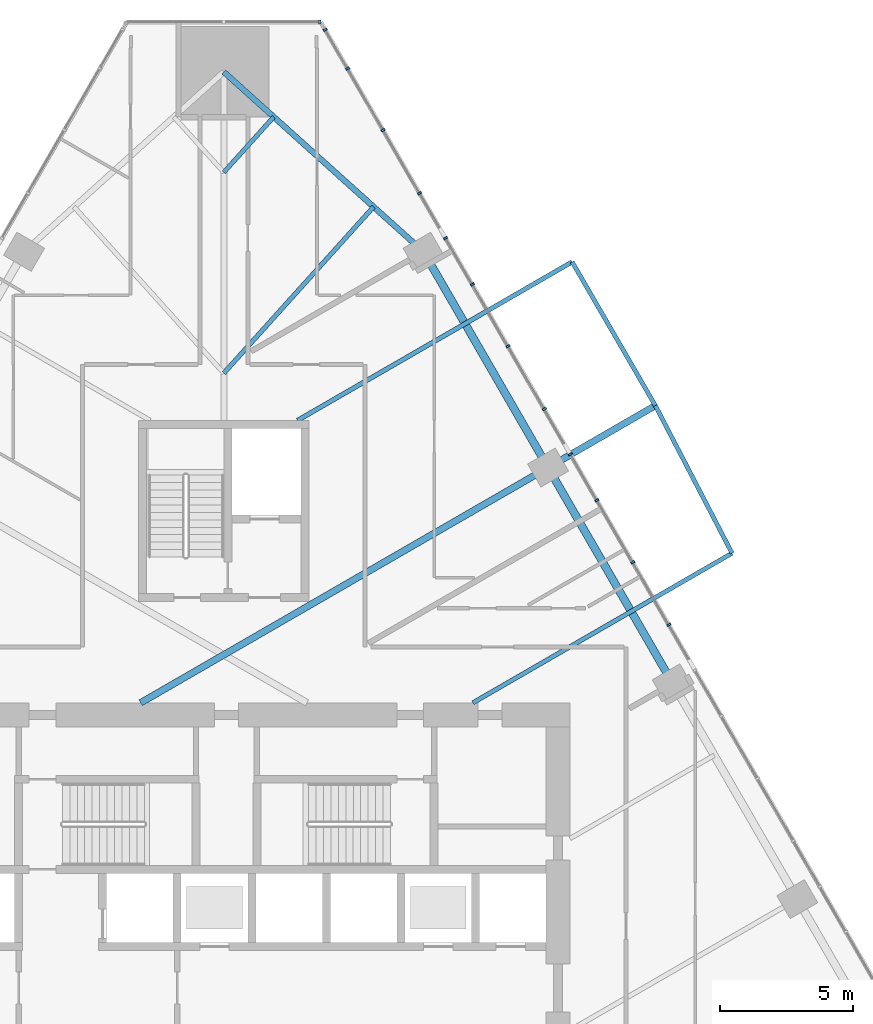
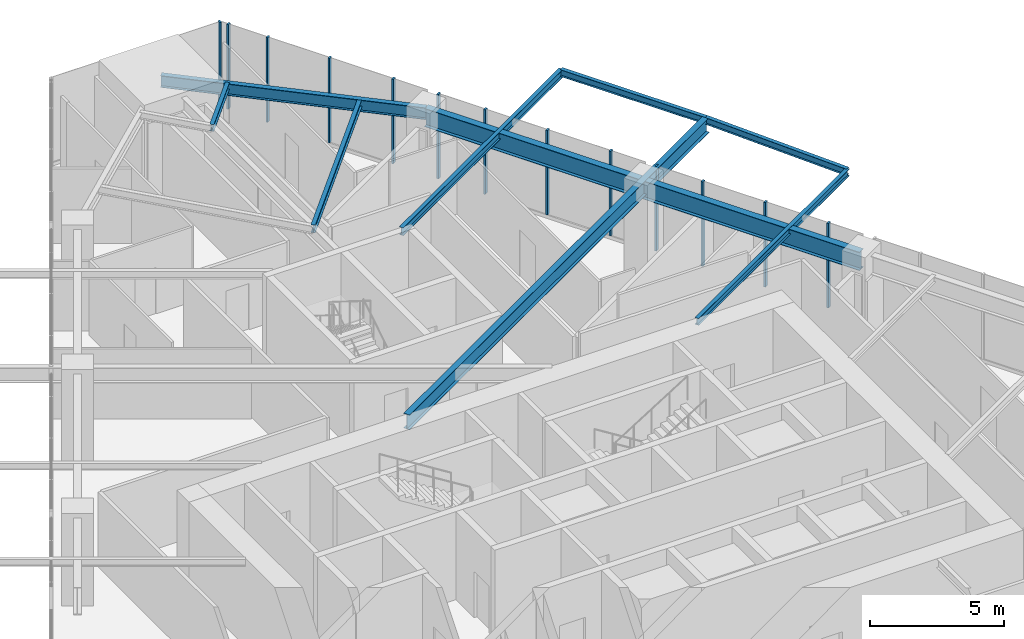
# One storey, part 10 of 22: 13 members, 9 beams, 2 elements without a shape of their own.
"""IFC4 building model written with IfcOpenShell, lengths in metres."""

from ifc_helpers import new_model, si_unit, direction, frame, origin, origin_2d, place, context, subcontext, project, spatial, rectangle, i_section, extrude, material, layer, layer_set, material_profile, profile_set, type_object, element, aggregate, save


model = new_model("IFC4")

# Units and contexts
model_context = context("Model", 3, precision=1e-05, world=origin(), true_north=direction((0.0, 1.0)))
body_context = subcontext(model_context, "Body", "Model", "MODEL_VIEW")
ifc_project = project(units=[si_unit("LENGTHUNIT", "METRE"), si_unit("AREAUNIT", "SQUARE_METRE"), si_unit("VOLUMEUNIT", "CUBIC_METRE"), si_unit("PLANEANGLEUNIT", "RADIAN"), si_unit("MASSUNIT", "GRAM", prefix="KILO")], contexts=[model_context])

# Site, building, storey
site_placement = place(None, origin())
site = spatial("IfcSite", under=ifc_project, at=site_placement, CompositionType="ELEMENT")
building_placement = place(site_placement, origin())
building = spatial("IfcBuilding", under=site, at=building_placement, Name="Firuza Gate Tower and Library", CompositionType="ELEMENT")
storey_placement = place(building_placement, frame((0.0, 0.0, 111.39990234375)))
storey = spatial("IfcBuildingStorey", under=building, at=storey_placement, Name="L25", CompositionType="ELEMENT", Elevation=111.39990234375)

# Curtain wall, members
ifc_material_1 = material(Name="Aluminium 6063-T6", Category="aluminium")
ifc_layer_1 = layer(ifc_material_1, 0.14990234375)
ifc_layer_set_1 = layer_set([ifc_layer_1], Name="Unitised curtain wall, offices")
curtain_wall_type_1 = type_object("IfcCurtainWallType", Name="Unitised curtain wall, offices", PredefinedType="NOTDEFINED", material=ifc_layer_set_1)
placement = place(storey_placement, origin())
curtain_wall_1 = element("IfcCurtainWall", 1, at=placement, inside=storey, type_object=curtain_wall_type_1, Name="CW1 L25 E face", PredefinedType="NOTDEFINED")
ifc_material_2 = material(Name="Aluminium 6063-T6", Category="aluminium")
ifc_material_profile_1 = material_profile(ifc_material_2, rectangle(XDim=0.14990234375, YDim=0.080078125, at=origin_2d()))
ifc_profile_set_1 = profile_set([ifc_material_profile_1], Name="Aluminium 6063-T6")
member_type = type_object("IfcMemberType", Name="Curtain wall mullion 80x150", PredefinedType="MULLION", material=ifc_profile_set_1)
member_1_placement = place(storey_placement, frame((90.35400390625, 89.273681640625, 0.150146484375), z_axis=(0.0, 0.0, 1.0), x_axis=(-0.866025403784, -0.5, 0.0)))
member_1 = element("IfcMember", 2, at=member_1_placement, type_object=member_type, Name="Mullion", PredefinedType="MULLION", context=body_context, shape_type="SweptSolid", body=[
    extrude(rectangle(XDim=0.14990234375, YDim=0.080078125, at=origin_2d()), origin(), (0.0, 0.0, 1.0), 3.849853515625),
])
member_2_placement = place(storey_placement, frame((88.011962890625, 93.330322265625, 0.150146484375), z_axis=(0.0, 0.0, 1.0), x_axis=(-0.866025403784, -0.5, 0.0)))
member_2 = element("IfcMember", 3, at=member_2_placement, type_object=member_type, Name="Mullion", PredefinedType="MULLION", context=body_context, shape_type="SweptSolid", body=[
    extrude(rectangle(XDim=0.14990234375, YDim=0.080078125, at=origin_2d()), origin(), (0.0, 0.0, 1.0), 3.849853515625),
])
member_3_placement = place(storey_placement, frame((85.669677734375, 97.38720703125, 0.150146484375), z_axis=(0.0, 0.0, 1.0), x_axis=(-0.866025403784, -0.5, 0.0)))
member_3 = element("IfcMember", 4, at=member_3_placement, type_object=member_type, Name="Mullion", PredefinedType="MULLION", context=body_context, shape_type="SweptSolid", body=[
    extrude(rectangle(XDim=0.14990234375, YDim=0.080078125, at=origin_2d()), origin(), (0.0, 0.0, 1.0), 3.849853515625),
])
member_4_placement = place(storey_placement, frame((83.32763671875, 101.44384765625, 0.150146484375), z_axis=(0.0, 0.0, 1.0), x_axis=(-0.866025403784, -0.5, 0.0)))
member_4 = element("IfcMember", 5, at=member_4_placement, type_object=member_type, Name="Mullion", PredefinedType="MULLION", context=body_context, shape_type="SweptSolid", body=[
    extrude(rectangle(XDim=0.14990234375, YDim=0.080078125, at=origin_2d()), origin(), (0.0, 0.0, 1.0), 3.849853515625),
])
member_5_placement = place(storey_placement, frame((80.9853515625, 105.500732421875, 0.150146484375), z_axis=(0.0, 0.0, 1.0), x_axis=(-0.866025403784, -0.5, 0.0)))
member_5 = element("IfcMember", 6, at=member_5_placement, type_object=member_type, Name="Mullion", PredefinedType="MULLION", context=body_context, shape_type="SweptSolid", body=[
    extrude(rectangle(XDim=0.14990234375, YDim=0.080078125, at=origin_2d()), origin(), (0.0, 0.0, 1.0), 3.849853515625),
])
member_6_placement = place(storey_placement, frame((91.7080078125, 86.9287109375, 0.150146484375), z_axis=(0.0, 0.0, 1.0), x_axis=(-0.866025403784, -0.5, 0.0)))
member_6 = element("IfcMember", 7, at=member_6_placement, type_object=member_type, Name="Mullion", PredefinedType="MULLION", context=body_context, shape_type="SweptSolid", body=[
    extrude(rectangle(XDim=0.14990234375, YDim=0.080078125, at=origin_2d()), origin(), (0.0, 0.0, 1.0), 3.849853515625),
])
member_7_placement = place(storey_placement, frame((89.00732421875, 91.606201171875, 0.150146484375), z_axis=(0.0, 0.0, 1.0), x_axis=(-0.866025403784, -0.5, 0.0)))
member_7 = element("IfcMember", 8, at=member_7_placement, type_object=member_type, Name="Mullion", PredefinedType="MULLION", context=body_context, shape_type="SweptSolid", body=[
    extrude(rectangle(XDim=0.14990234375, YDim=0.080078125, at=origin_2d()), origin(), (0.0, 0.0, 1.0), 3.849853515625),
])
member_8_placement = place(storey_placement, frame((87.031005859375, 95.029541015625, 0.150146484375), z_axis=(0.0, 0.0, 1.0), x_axis=(-0.866025403784, -0.5, 0.0)))
member_8 = element("IfcMember", 9, at=member_8_placement, type_object=member_type, Name="Mullion", PredefinedType="MULLION", context=body_context, shape_type="SweptSolid", body=[
    extrude(rectangle(XDim=0.14990234375, YDim=0.080078125, at=origin_2d()), origin(), (0.0, 0.0, 1.0), 3.849853515625),
])
member_9_placement = place(storey_placement, frame((84.330322265625, 99.707275390625, 0.150146484375), z_axis=(0.0, 0.0, 1.0), x_axis=(-0.866025403784, -0.5, 0.0)))
member_9 = element("IfcMember", 10, at=member_9_placement, type_object=member_type, Name="Mullion", PredefinedType="MULLION", context=body_context, shape_type="SweptSolid", body=[
    extrude(rectangle(XDim=0.14990234375, YDim=0.080078125, at=origin_2d()), origin(), (0.0, 0.0, 1.0), 3.849853515625),
])
member_10_placement = place(storey_placement, frame((82.353759765625, 103.130615234375, 0.150146484375), z_axis=(0.0, 0.0, 1.0), x_axis=(-0.866025403784, -0.5, 0.0)))
member_10 = element("IfcMember", 11, at=member_10_placement, type_object=member_type, Name="Mullion", PredefinedType="MULLION", context=body_context, shape_type="SweptSolid", body=[
    extrude(rectangle(XDim=0.14990234375, YDim=0.080078125, at=origin_2d()), origin(), (0.0, 0.0, 1.0), 3.849853515625),
])
member_11_placement = place(storey_placement, frame((79.653076171875, 107.808349609375, 0.150146484375), z_axis=(0.0, 0.0, 1.0), x_axis=(-0.866025403784, -0.5, 0.0)))
member_11 = element("IfcMember", 12, at=member_11_placement, type_object=member_type, Name="Mullion", PredefinedType="MULLION", context=body_context, shape_type="SweptSolid", body=[
    extrude(rectangle(XDim=0.14990234375, YDim=0.080078125, at=origin_2d()), origin(), (0.0, 0.0, 1.0), 3.849853515625),
])
member_12_placement = place(storey_placement, frame((78.808837890625, 109.2705078125, 0.150146484375), z_axis=(0.0, 0.0, 1.0), x_axis=(-0.866025403784, -0.5, 0.0)))
member_12 = element("IfcMember", 13, at=member_12_placement, type_object=member_type, Name="Mullion", PredefinedType="MULLION", context=body_context, shape_type="SweptSolid", body=[
    extrude(rectangle(XDim=0.14990234375, YDim=0.080078125, at=origin_2d()), origin(), (0.0, 0.0, 1.0), 3.849853515625),
])
aggregate(curtain_wall_1, [member_1, member_2, member_3, member_4, member_5, member_6, member_7, member_8, member_9, member_10, member_11, member_12])

# Curtain wall, member
ifc_material_3 = material(Name="Aluminium 6063-T6", Category="aluminium")
ifc_layer_2 = layer(ifc_material_3, 0.14990234375)
ifc_layer_set_2 = layer_set([ifc_layer_2], Name="Corner curtain wall, chamfers")
curtain_wall_type_2 = type_object("IfcCurtainWallType", Name="Corner curtain wall, chamfers", PredefinedType="NOTDEFINED", material=ifc_layer_set_2)
curtain_wall_2 = element("IfcCurtainWall", 14, at=placement, inside=storey, type_object=curtain_wall_type_2, Name="CW4 L25 N corner", PredefinedType="NOTDEFINED")
member_13_placement = place(storey_placement, frame((78.603271484375, 109.557373046875, 0.150146484375), z_axis=(0.0, 0.0, 1.0), x_axis=(0.0, -1.0, 0.0)))
member_13 = element("IfcMember", 15, at=member_13_placement, type_object=member_type, Name="Mullion", PredefinedType="MULLION", context=body_context, shape_type="SweptSolid", body=[
    extrude(rectangle(XDim=0.14990234375, YDim=0.080078125, at=origin_2d()), origin(), (0.0, 0.0, 1.0), 3.849853515625),
])
aggregate(curtain_wall_2, [member_13])

# Beams
ifc_material_4 = material(Name="Steel S355", Category="steel")
ifc_material_profile_2 = material_profile(ifc_material_4, i_section(OverallWidth=0.1650390625, OverallDepth=0.31005859375, WebThickness=0.005859375, FlangeThickness=0.009765625, at=origin_2d()))
ifc_profile_set_2 = profile_set([ifc_material_profile_2], Name="Steel S355")
beam_type_1 = type_object("IfcBeamType", Name="W310x39 Floor beam", PredefinedType="JOIST", material=ifc_profile_set_2)
beam_1_placement = place(storey_placement, frame((94.080078125, 89.6162109375, 3.84521484375), z_axis=(-0.866030311625, -0.499991499275, 0.0), x_axis=(0.499991499275, -0.866030311625, 0.0)))
element("IfcBeam", 16, at=beam_1_placement, inside=storey, type_object=beam_type_1, Name="Floor beam L25 s53", PredefinedType="JOIST", context=body_context, shape_type="SweptSolid", body=[
    extrude(i_section(OverallWidth=0.1650390625, OverallDepth=0.31005859375, WebThickness=0.005859375, FlangeThickness=0.009765625, at=origin_2d()), origin(), (0.0, 0.0, 1.0), 11.232666015625),
])
beam_2_placement = place(storey_placement, frame((76.87451171875, 105.99462890625, 3.84521484375), z_axis=(-0.669142865717, -0.743133786919, 0.0), x_axis=(0.743133786919, -0.669142865717, 0.0)))
element("IfcBeam", 17, at=beam_2_placement, inside=storey, type_object=beam_type_1, Name="Floor beam L25 s61", PredefinedType="JOIST", context=body_context, shape_type="SweptSolid", body=[
    extrude(i_section(OverallWidth=0.1650390625, OverallDepth=0.31005859375, WebThickness=0.005859375, FlangeThickness=0.009765625, at=origin_2d()), origin(), (0.0, 0.0, 1.0), 2.80126953125),
])
beam_3_placement = place(storey_placement, frame((94.080078125, 89.6162109375, 3.84521484375), z_axis=(-0.461067023022, 0.887365313882, 0.0), x_axis=(-0.887365313882, -0.461067023022, 0.0)))
element("IfcBeam", 18, at=beam_3_placement, inside=storey, type_object=beam_type_1, Name="Tray edge beam L25 s53-s54", PredefinedType="JOIST", context=body_context, shape_type="SweptSolid", body=[
    extrude(i_section(OverallWidth=0.1650390625, OverallDepth=0.31005859375, WebThickness=0.005859375, FlangeThickness=0.009765625, at=origin_2d()), origin(), (0.0, 0.0, 1.0), 6.242431640625),
])
beam_4_placement = place(storey_placement, frame((91.201904296875, 95.155517578125, 3.84521484375), z_axis=(-0.501198303773, 0.865332456513, 0.0), x_axis=(-0.865332456513, -0.501198303773, 0.0)))
element("IfcBeam", 19, at=beam_4_placement, inside=storey, type_object=beam_type_1, Name="Tray edge beam L25 s54-s55", PredefinedType="JOIST", context=body_context, shape_type="SweptSolid", body=[
    extrude(i_section(OverallWidth=0.1650390625, OverallDepth=0.31005859375, WebThickness=0.005859375, FlangeThickness=0.009765625, at=origin_2d()), origin(), (0.0, 0.0, 1.0), 6.236083984375),
])
ifc_material_5 = material(Name="Steel S355", Category="steel")
ifc_material_profile_3 = material_profile(ifc_material_5, i_section(OverallWidth=0.1708984375, OverallDepth=0.35498046875, WebThickness=0.007080078125, FlangeThickness=0.01171875, at=origin_2d()))
ifc_profile_set_3 = profile_set([ifc_material_profile_3], Name="Steel S355")
beam_type_2 = type_object("IfcBeamType", Name="W360x51 Floor beam", PredefinedType="JOIST", material=ifc_profile_set_3)
beam_5_placement = place(storey_placement, frame((88.076416015625, 100.5517578125, 3.822509765625), z_axis=(-0.866030866614, -0.499990537983, 0.0), x_axis=(0.499990537983, -0.866030866614, 0.0)))
element("IfcBeam", 20, at=beam_5_placement, inside=storey, type_object=beam_type_2, Name="Floor beam L25 s55", PredefinedType="JOIST", context=body_context, shape_type="SweptSolid", body=[
    extrude(i_section(OverallWidth=0.1708984375, OverallDepth=0.35498046875, WebThickness=0.007080078125, FlangeThickness=0.01171875, at=origin_2d()), origin(), (0.0, 0.0, 1.0), 11.903564453125),
])
beam_6_placement = place(storey_placement, frame((80.623291015625, 102.619140625, 3.822509765625), z_axis=(-0.669141268318, -0.743135225267, 0.0), x_axis=(0.743135225267, -0.669141268318, 0.0)))
element("IfcBeam", 21, at=beam_6_placement, inside=storey, type_object=beam_type_2, Name="Floor beam L25 s60", PredefinedType="JOIST", context=body_context, shape_type="SweptSolid", body=[
    extrude(i_section(OverallWidth=0.1708984375, OverallDepth=0.35498046875, WebThickness=0.007080078125, FlangeThickness=0.01171875, at=origin_2d()), origin(), (0.0, 0.0, 1.0), 8.40380859375),
])
ifc_material_6 = material(Name="Steel S355", Category="steel")
ifc_material_profile_4 = material_profile(ifc_material_6, i_section(OverallWidth=0.212890625, OverallDepth=0.5390625, WebThickness=0.01171875, FlangeThickness=0.018798828125, at=origin_2d()))
ifc_profile_set_4 = profile_set([ifc_material_profile_4], Name="Steel S355")
beam_type_3 = type_object("IfcBeamType", Name="W530x109 Edge beam", PredefinedType="SPANDREL", material=ifc_profile_set_4)
beam_7_placement = place(storey_placement, frame((82.497802734375, 100.931396484375, 3.730712890625), z_axis=(-0.743148538836, 0.669126482234, 0.0), x_axis=(-0.669126482234, -0.743148538836, 0.0)))
element("IfcBeam", 22, at=beam_7_placement, inside=storey, type_object=beam_type_3, Name="Edge beam L25 e60", PredefinedType="SPANDREL", context=body_context, shape_type="SweptSolid", body=[
    extrude(i_section(OverallWidth=0.212890625, OverallDepth=0.5390625, WebThickness=0.01171875, FlangeThickness=0.018798828125, at=origin_2d()), origin(), (0.0, 0.0, 1.0), 10.08935546875),
])
ifc_material_7 = material(Name="Steel S355", Category="steel")
ifc_material_profile_5 = material_profile(ifc_material_7, i_section(OverallWidth=0.2529296875, OverallDepth=0.677978515625, WebThickness=0.01171875, FlangeThickness=0.016357421875, at=origin_2d()))
ifc_profile_set_5 = profile_set([ifc_material_profile_5], Name="Steel S355")
beam_type_4 = type_object("IfcBeamType", Name="W690x125 Floor beam", PredefinedType="JOIST", material=ifc_profile_set_5)
beam_8_placement = place(storey_placement, frame((91.201904296875, 95.155517578125, 3.6611328125), z_axis=(-0.866023769083, -0.500002831375, 0.0), x_axis=(0.500002831375, -0.866023769083, 0.0)))
element("IfcBeam", 23, at=beam_8_placement, inside=storey, type_object=beam_type_4, Name="Floor beam L25 s54", PredefinedType="JOIST", context=body_context, shape_type="SweptSolid", body=[
    extrude(i_section(OverallWidth=0.2529296875, OverallDepth=0.677978515625, WebThickness=0.01171875, FlangeThickness=0.016357421875, at=origin_2d()), origin(), (0.0, 0.0, 1.0), 22.310791015625),
])
ifc_material_8 = material(Name="Steel S355", Category="steel")
ifc_material_profile_6 = material_profile(ifc_material_8, i_section(OverallWidth=0.2919921875, OverallDepth=0.8349609375, WebThickness=0.013916015625, FlangeThickness=0.018798828125, at=origin_2d()))
ifc_profile_set_6 = profile_set([ifc_material_profile_6], Name="Steel S355")
beam_type_5 = type_object("IfcBeamType", Name="W840x176 Edge beam", PredefinedType="SPANDREL", material=ifc_profile_set_6)
beam_9_placement = place(storey_placement, frame((91.851806640625, 84.7294921875, 3.58251953125), z_axis=(-0.499993188785, 0.866029336205, 0.0), x_axis=(-0.866029336205, -0.499993188785, 0.0)))
element("IfcBeam", 24, at=beam_9_placement, inside=storey, type_object=beam_type_5, Name="Edge beam L25 e52", PredefinedType="SPANDREL", context=body_context, shape_type="SweptSolid", body=[
    extrude(i_section(OverallWidth=0.2919921875, OverallDepth=0.8349609375, WebThickness=0.013916015625, FlangeThickness=0.018798828125, at=origin_2d()), origin(), (0.0, 0.0, 1.0), 18.708251953125),
])

save(model, "model.ifc")
